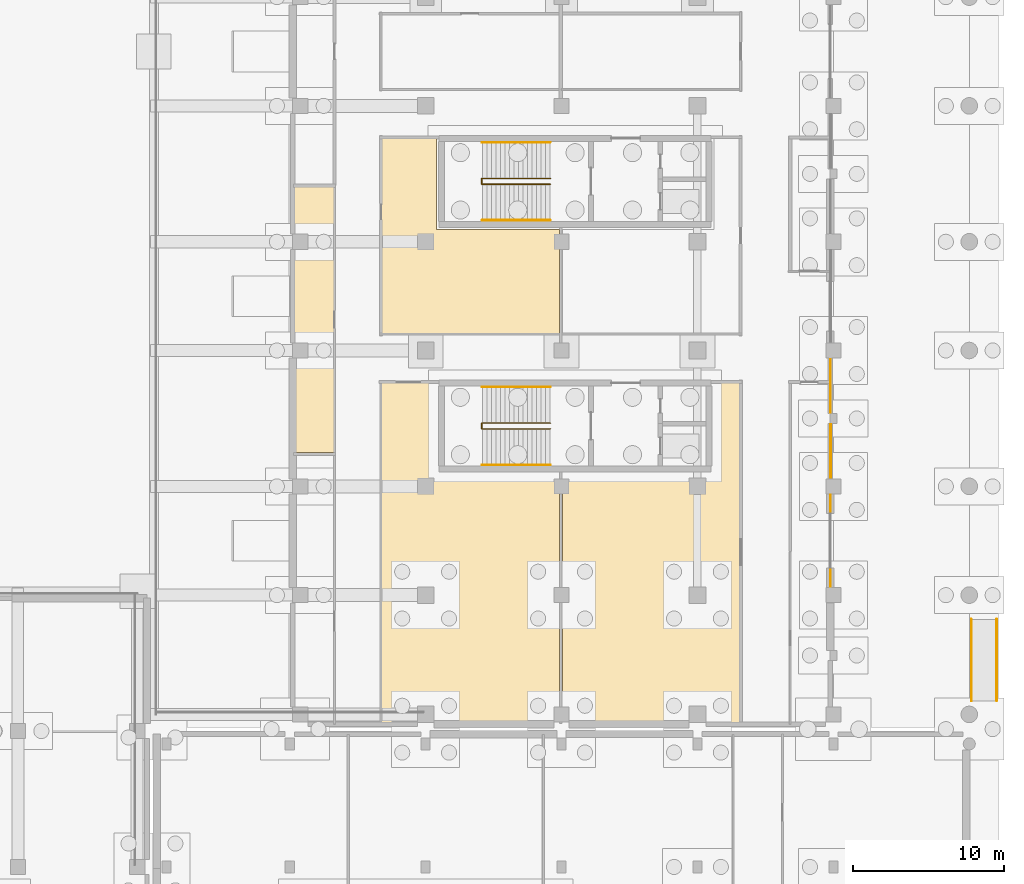
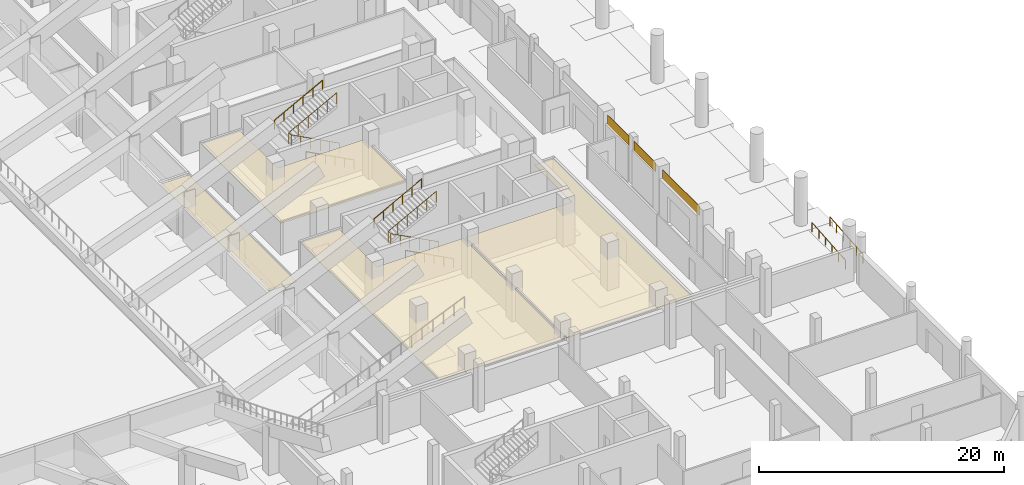
# One storey, part 48 of 53: 8 railings, 7 coverings.
"""IFC4 building model written with IfcOpenShell, lengths in metres."""

from ifc_helpers import new_model, si_unit, direction, frame, origin, origin_2d, place, context, subcontext, project, spatial, polyline, rectangle, circle, outline, extrude, material, layer, layer_set, type_object, element, save


model = new_model("IFC4")

# Units and contexts
model_context = context("Model", 3, precision=1e-05, world=origin(), true_north=direction((0.0, 1.0)))
body_context = subcontext(model_context, "Body", "Model", "MODEL_VIEW")
ifc_project = project(units=[si_unit("LENGTHUNIT", "METRE"), si_unit("AREAUNIT", "SQUARE_METRE"), si_unit("VOLUMEUNIT", "CUBIC_METRE"), si_unit("PLANEANGLEUNIT", "RADIAN"), si_unit("MASSUNIT", "GRAM", prefix="KILO"), si_unit("THERMODYNAMICTEMPERATUREUNIT", "KELVIN"), si_unit("POWERUNIT", "WATT")], contexts=[model_context])

# Site, building, storey
site_placement = place(None, origin())
site = spatial("IfcSite", under=ifc_project, at=site_placement, CompositionType="ELEMENT")
building_placement = place(site_placement, origin())
building = spatial("IfcBuilding", under=site, at=building_placement, Name="Sindhuravela Promenade Stadium", CompositionType="ELEMENT")
storey_placement = place(building_placement, origin())
storey = spatial("IfcBuildingStorey", under=building, at=storey_placement, Name="L00", CompositionType="ELEMENT", Elevation=0.0)

# Coverings
ifc_material_1 = material(Name="Acoustic mineral-fibre ceiling tile", Category="gypsum")
ifc_layer_1 = layer(ifc_material_1, 0.044921875)
ifc_layer_set_1 = layer_set([ifc_layer_1], Name="Acoustic mineral-fibre ceiling tile")
covering_type_1 = type_object("IfcCoveringType", Name="CV-CEIL-2", PredefinedType="CEILING", material=ifc_layer_set_1)
covering_1_placement = place(storey_placement, frame((0.0, 0.0, 3.050048828125)))
element("IfcCovering", 1, at=covering_1_placement, inside=storey, type_object=covering_type_1, Name="Acoustic ceiling Park Promenade Cafe", PredefinedType="CEILING", context=body_context, shape_type="SweptSolid", body=[
    extrude(outline(polyline([(177.02001953125, 59.110107421875), (177.02001953125, 59.112060546875), (177.0205078125, 59.114013671875), (177.02099609375, 59.11572265625), (177.021484375, 59.11767578125), (177.0224609375, 59.119384765625), (177.0234375, 59.12109375), (177.0244140625, 59.122802734375), (177.02587890625, 59.1240234375), (177.02734375, 59.12548828125), (177.02880859375, 59.126708984375), (177.030517578125, 59.127685546875), (177.0322265625, 59.12841796875), (177.0341796875, 59.129150390625), (177.0361328125, 59.129638671875), (177.0380859375, 59.1298828125), (177.0400390625, 59.1298828125), (180.699951171875, 59.1298828125), (180.701904296875, 59.1298828125), (180.703857421875, 59.129638671875), (180.705810546875, 59.129150390625), (180.707763671875, 59.12841796875), (180.70947265625, 59.127685546875), (180.711181640625, 59.126708984375), (180.712646484375, 59.12548828125), (180.714111328125, 59.1240234375), (180.715576171875, 59.122802734375), (180.716552734375, 59.12109375), (180.717529296875, 59.119384765625), (180.718505859375, 59.11767578125), (180.718994140625, 59.11572265625), (180.719482421875, 59.114013671875), (180.719970703125, 59.112060546875), (180.719970703125, 59.110107421875), (180.719970703125, 53.02001953125), (188.830078125, 53.02001953125), (188.83203125, 53.02001953125), (188.833984375, 53.01953125), (188.835693359375, 53.01904296875), (188.837646484375, 53.0185546875), (188.83935546875, 53.017578125), (188.841064453125, 53.0166015625), (188.8427734375, 53.015380859375), (188.843994140625, 53.01416015625), (188.845458984375, 53.0126953125), (188.8466796875, 53.010986328125), (188.84765625, 53.009521484375), (188.848388671875, 53.0078125), (188.84912109375, 53.005859375), (188.849609375, 53.00390625), (188.849853515625, 53.001953125), (188.85009765625, 53.0), (188.85009765625, 36.570068359375), (188.849853515625, 36.568115234375), (188.849609375, 36.566162109375), (188.84912109375, 36.564208984375), (188.848388671875, 36.562255859375), (188.84765625, 36.560546875), (188.8466796875, 36.558837890625), (188.845458984375, 36.557373046875), (188.843994140625, 36.555908203125), (188.8427734375, 36.554443359375), (188.841064453125, 36.553466796875), (188.83935546875, 36.552490234375), (188.837646484375, 36.551513671875), (188.835693359375, 36.55078125), (188.833984375, 36.55029296875), (188.83203125, 36.550048828125), (188.830078125, 36.550048828125), (177.0400390625, 36.550048828125), (177.0380859375, 36.550048828125), (177.0361328125, 36.55029296875), (177.0341796875, 36.55078125), (177.0322265625, 36.551513671875), (177.030517578125, 36.552490234375), (177.02880859375, 36.553466796875), (177.02734375, 36.554443359375), (177.02587890625, 36.555908203125), (177.0244140625, 36.557373046875), (177.0234375, 36.558837890625), (177.0224609375, 36.560546875), (177.021484375, 36.562255859375), (177.02099609375, 36.564208984375), (177.0205078125, 36.566162109375), (177.02001953125, 36.568115234375), (177.02001953125, 36.570068359375), (177.02001953125, 59.110107421875)])), origin(), (0.0, 0.0, 1.0), 0.044921875),
])
covering_2_placement = place(storey_placement, frame((0.0, 0.0, 3.050048828125)))
element("IfcCovering", 2, at=covering_2_placement, inside=storey, type_object=covering_type_1, Name="Acoustic ceiling Sports Museum Foyer", PredefinedType="CEILING", context=body_context, shape_type="SweptSolid", body=[
    extrude(outline(polyline([(199.080078125, 53.02001953125), (199.080078125, 59.110107421875), (199.080078125, 59.112060546875), (199.080322265625, 59.114013671875), (199.080810546875, 59.11572265625), (199.08154296875, 59.11767578125), (199.08251953125, 59.119384765625), (199.08349609375, 59.12109375), (199.08447265625, 59.122802734375), (199.0859375, 59.1240234375), (199.08740234375, 59.12548828125), (199.0888671875, 59.126708984375), (199.090576171875, 59.127685546875), (199.09228515625, 59.12841796875), (199.09423828125, 59.129150390625), (199.09619140625, 59.129638671875), (199.097900390625, 59.1298828125), (199.10009765625, 59.1298828125), (200.860107421875, 59.1298828125), (200.862060546875, 59.1298828125), (200.864013671875, 59.129638671875), (200.86572265625, 59.129150390625), (200.86767578125, 59.12841796875), (200.869384765625, 59.127685546875), (200.87109375, 59.126708984375), (200.872802734375, 59.12548828125), (200.8740234375, 59.1240234375), (200.87548828125, 59.122802734375), (200.876708984375, 59.12109375), (200.877685546875, 59.119384765625), (200.87841796875, 59.11767578125), (200.879150390625, 59.11572265625), (200.879638671875, 59.114013671875), (200.8798828125, 59.112060546875), (200.8798828125, 59.110107421875), (200.8798828125, 36.570068359375), (200.8798828125, 36.568115234375), (200.879638671875, 36.566162109375), (200.879150390625, 36.564208984375), (200.87841796875, 36.562255859375), (200.877685546875, 36.560546875), (200.876708984375, 36.558837890625), (200.87548828125, 36.557373046875), (200.8740234375, 36.555908203125), (200.872802734375, 36.554443359375), (200.87109375, 36.553466796875), (200.869384765625, 36.552490234375), (200.86767578125, 36.551513671875), (200.86572265625, 36.55078125), (200.864013671875, 36.55029296875), (200.862060546875, 36.550048828125), (200.860107421875, 36.550048828125), (189.070068359375, 36.550048828125), (189.068115234375, 36.550048828125), (189.066162109375, 36.55029296875), (189.064208984375, 36.55078125), (189.062255859375, 36.551513671875), (189.060546875, 36.552490234375), (189.058837890625, 36.553466796875), (189.057373046875, 36.554443359375), (189.055908203125, 36.555908203125), (189.054443359375, 36.557373046875), (189.053466796875, 36.558837890625), (189.052490234375, 36.560546875), (189.051513671875, 36.562255859375), (189.05078125, 36.564208984375), (189.05029296875, 36.566162109375), (189.050048828125, 36.568115234375), (189.050048828125, 36.570068359375), (189.050048828125, 53.0), (189.050048828125, 53.001953125), (189.05029296875, 53.00390625), (189.05078125, 53.005859375), (189.051513671875, 53.0078125), (189.052490234375, 53.009521484375), (189.053466796875, 53.010986328125), (189.054443359375, 53.0126953125), (189.055908203125, 53.01416015625), (189.057373046875, 53.015380859375), (189.058837890625, 53.0166015625), (189.060546875, 53.017578125), (189.062255859375, 53.0185546875), (189.064208984375, 53.01904296875), (189.066162109375, 53.01953125), (189.068115234375, 53.02001953125), (189.070068359375, 53.02001953125), (199.080078125, 53.02001953125)])), origin(), (0.0, 0.0, 1.0), 0.044921875),
])
covering_3_placement = place(storey_placement, frame((0.0, 0.0, 3.050048828125)))
element("IfcCovering", 3, at=covering_3_placement, inside=storey, type_object=covering_type_1, Name="Acoustic ceiling Chiller Plant Hall", PredefinedType="CEILING", context=body_context, shape_type="SweptSolid", body=[
    extrude(outline(polyline([(177.0400390625, 62.27001953125), (177.0380859375, 62.27001953125), (177.0361328125, 62.2705078125), (177.0341796875, 62.27099609375), (177.0322265625, 62.271484375), (177.030517578125, 62.2724609375), (177.02880859375, 62.2734375), (177.02734375, 62.2744140625), (177.02587890625, 62.27587890625), (177.0244140625, 62.27734375), (177.0234375, 62.27880859375), (177.0224609375, 62.280517578125), (177.021484375, 62.2822265625), (177.02099609375, 62.2841796875), (177.0205078125, 62.2861328125), (177.02001953125, 62.2880859375), (177.02001953125, 62.2900390625), (177.02001953125, 75.31005859375), (177.02001953125, 75.31201171875), (177.0205078125, 75.31396484375), (177.02099609375, 75.31591796875), (177.021484375, 75.317626953125), (177.0224609375, 75.3193359375), (177.0234375, 75.321044921875), (177.0244140625, 75.32275390625), (177.02587890625, 75.32421875), (177.02734375, 75.325439453125), (177.02880859375, 75.32666015625), (177.030517578125, 75.32763671875), (177.0322265625, 75.32861328125), (177.0341796875, 75.3291015625), (177.0361328125, 75.32958984375), (177.0380859375, 75.329833984375), (177.0400390625, 75.330078125), (180.699951171875, 75.330078125), (180.701904296875, 75.329833984375), (180.703857421875, 75.32958984375), (180.705810546875, 75.3291015625), (180.707763671875, 75.32861328125), (180.70947265625, 75.32763671875), (180.711181640625, 75.32666015625), (180.712646484375, 75.325439453125), (180.714111328125, 75.32421875), (180.715576171875, 75.32275390625), (180.716552734375, 75.321044921875), (180.717529296875, 75.3193359375), (180.718505859375, 75.317626953125), (180.718994140625, 75.31591796875), (180.719482421875, 75.31396484375), (180.719970703125, 75.31201171875), (180.719970703125, 75.31005859375), (180.719970703125, 69.219970703125), (188.830078125, 69.219970703125), (188.83203125, 69.219970703125), (188.833984375, 69.219482421875), (188.835693359375, 69.218994140625), (188.837646484375, 69.218505859375), (188.83935546875, 69.217529296875), (188.841064453125, 69.216552734375), (188.8427734375, 69.215576171875), (188.843994140625, 69.214111328125), (188.845458984375, 69.212646484375), (188.8466796875, 69.211181640625), (188.84765625, 69.20947265625), (188.848388671875, 69.207763671875), (188.84912109375, 69.205810546875), (188.849609375, 69.203857421875), (188.849853515625, 69.201904296875), (188.85009765625, 69.199951171875), (188.85009765625, 62.2900390625), (188.849853515625, 62.2880859375), (188.849609375, 62.2861328125), (188.84912109375, 62.2841796875), (188.848388671875, 62.2822265625), (188.84765625, 62.280517578125), (188.8466796875, 62.27880859375), (188.845458984375, 62.27734375), (188.843994140625, 62.27587890625), (188.8427734375, 62.2744140625), (188.841064453125, 62.2734375), (188.83935546875, 62.2724609375), (188.837646484375, 62.271484375), (188.835693359375, 62.27099609375), (188.833984375, 62.2705078125), (188.83203125, 62.27001953125), (188.830078125, 62.27001953125), (177.0400390625, 62.27001953125)])), origin(), (0.0, 0.0, 1.0), 0.044921875),
])
covering_4_placement = place(storey_placement, frame((0.0, 0.0, 3.050048828125)))
element("IfcCovering", 4, at=covering_4_placement, inside=storey, type_object=covering_type_1, Name="Acoustic ceiling Chiller Plant Hall 7", PredefinedType="CEILING", context=body_context, shape_type="SweptSolid", body=[
    extrude(outline(polyline([(173.97998046875, 54.4619140625), (173.97998046875, 54.4599609375), (173.9794921875, 54.4580078125), (173.97900390625, 54.456298828125), (173.978515625, 54.454345703125), (173.9775390625, 54.45263671875), (173.9765625, 54.450927734375), (173.9755859375, 54.44921875), (173.97412109375, 54.447998046875), (173.97265625, 54.446533203125), (173.97119140625, 54.4453125), (173.969482421875, 54.4443359375), (173.9677734375, 54.443603515625), (173.9658203125, 54.44287109375), (173.9638671875, 54.4423828125), (173.9619140625, 54.442138671875), (173.9599609375, 54.44189453125), (171.320068359375, 54.44189453125), (171.318115234375, 54.442138671875), (171.316162109375, 54.4423828125), (171.314208984375, 54.44287109375), (171.312255859375, 54.443603515625), (171.310546875, 54.4443359375), (171.308837890625, 54.4453125), (171.307373046875, 54.446533203125), (171.305908203125, 54.447998046875), (171.304443359375, 54.44921875), (171.303466796875, 54.450927734375), (171.302490234375, 54.45263671875), (171.301513671875, 54.454345703125), (171.30078125, 54.456298828125), (171.30029296875, 54.4580078125), (171.300048828125, 54.4599609375), (171.300048828125, 54.4619140625), (171.300048828125, 71.993896484375), (171.300048828125, 71.99609375), (171.30029296875, 71.997802734375), (171.30078125, 71.999755859375), (171.301513671875, 72.001708984375), (171.302490234375, 72.00341796875), (171.303466796875, 72.005126953125), (171.304443359375, 72.006591796875), (171.305908203125, 72.008056640625), (171.307373046875, 72.009521484375), (171.308837890625, 72.010498046875), (171.310546875, 72.01171875), (171.312255859375, 72.012451171875), (171.314208984375, 72.01318359375), (171.316162109375, 72.013671875), (171.318115234375, 72.013916015625), (171.320068359375, 72.013916015625), (173.9599609375, 72.013916015625), (173.9619140625, 72.013916015625), (173.9638671875, 72.013671875), (173.9658203125, 72.01318359375), (173.9677734375, 72.012451171875), (173.969482421875, 72.01171875), (173.97119140625, 72.010498046875), (173.97265625, 72.009521484375), (173.97412109375, 72.008056640625), (173.9755859375, 72.006591796875), (173.9765625, 72.005126953125), (173.9775390625, 72.00341796875), (173.978515625, 72.001708984375), (173.97900390625, 71.999755859375), (173.9794921875, 71.997802734375), (173.97998046875, 71.99609375), (173.97998046875, 71.993896484375), (173.97998046875, 54.4619140625)])), origin(), (0.0, 0.0, 1.0), 0.044921875),
])
ifc_material_2 = material(Name="Polychrome trencadis ceramic mosaic", Category="masonry")
ifc_layer_2 = layer(ifc_material_2, 0.034912109375)
ifc_layer_set_2 = layer_set([ifc_layer_2], Name="Polychrome trencadis ceramic mosaic")
covering_type_2 = type_object("IfcCoveringType", Name="CV-TRENC-1", PredefinedType="CLADDING", material=ifc_layer_set_2)
covering_5_placement = place(storey_placement, frame((206.820068359375, 58.862548828125, 3.55517578125), z_axis=(0.0, 0.0, 1.0), x_axis=(0.0, -1.0, 0.0)))
element("IfcCovering", 5, at=covering_5_placement, inside=storey, type_object=covering_type_2, Name="Trencadis ceramic mosaic spandrel frieze EAST L00-154", PredefinedType="CLADDING", context=body_context, shape_type="SweptSolid", body=[
    extrude(rectangle(XDim=3.544921875, YDim=0.034912109375, at=origin_2d()), origin(), (0.0, 0.0, 1.0), 0.905029296875),
])
covering_6_placement = place(storey_placement, frame((206.820068359375, 48.60009765625, 3.55517578125), z_axis=(0.0, 0.0, 1.0), x_axis=(0.0, -1.0, 0.0)))
element("IfcCovering", 6, at=covering_6_placement, inside=storey, type_object=covering_type_2, Name="Trencadis ceramic mosaic spandrel frieze EAST L00-156", PredefinedType="CLADDING", context=body_context, shape_type="SweptSolid", body=[
    extrude(rectangle(XDim=6.070068359375, YDim=0.034912109375, at=origin_2d()), origin(), (0.0, 0.0, 1.0), 0.905029296875),
])
ifc_layer_3 = layer(ifc_material_2, 0.050048828125)
ifc_layer_set_3 = layer_set([ifc_layer_3], Name="Polychrome trencadis ceramic mosaic")
covering_type_3 = type_object("IfcCoveringType", Name="CV-TRENC-2", PredefinedType="CLADDING", material=ifc_layer_set_3)
covering_7_placement = place(storey_placement, frame((206.820068359375, 54.53759765625, 3.55517578125), z_axis=(0.0, 0.0, 1.0), x_axis=(0.0, -1.0, 0.0)))
element("IfcCovering", 7, at=covering_7_placement, inside=storey, type_object=covering_type_3, Name="Trencadis ceramic mosaic spandrel frieze EAST L00-155", PredefinedType="CLADDING", context=body_context, shape_type="SweptSolid", body=[
    extrude(rectangle(XDim=3.544921875, YDim=0.050048828125, at=origin_2d()), origin(), (0.0, 0.0, 1.0), 0.905029296875),
])

# Railings
ifc_material_3 = material(Name="Architectural wrought steel E350", Category="steel")
railing_type_1 = type_object("IfcRailingType", Name="RL-GRD-1150", PredefinedType="GUARDRAIL", material=ifc_material_3)
railing_1_placement = place(storey_placement, frame((188.25, 56.010009765625, 0.0)))
element("IfcRailing", 8, at=railing_1_placement, inside=storey, type_object=railing_type_1, Name="Stair ST05 inner well guard (L00)", PredefinedType="GUARDRAIL", context=body_context, shape_type="SweptSolid", body=[
    extrude(circle(Radius=0.02392578125, at=origin_2d()), frame((0.0, 0.0, 1.1259765625), z_axis=(-0.8836546633431795, 0.0, 0.46813933390802775), x_axis=(0.0, -1.0, 0.0)), (0.0, 0.0, 1.0), 5.12646484375),
    extrude(circle(Radius=0.02392578125, at=origin_2d()), frame((-4.530029296875, 0.0, 3.52587890625), z_axis=(0.0, 1.0, 0.0), x_axis=(-1.0, 0.0, 0.0)), (0.0, 0.0, 1.0), 0.3798828125),
    extrude(circle(Radius=0.02392578125, at=origin_2d()), frame((-4.530029296875, 0.3798828125, 3.52587890625), z_axis=(0.8836349624059475, 0.0, 0.46817651928929505), x_axis=(0.0, 1.0, 0.0)), (0.0, 0.0, 1.0), 5.12646484375),
    extrude(circle(Radius=0.02099609375, at=origin_2d()), origin(), (0.0, 0.0, 1.0), 1.101806640625),
    extrude(circle(Radius=0.02099609375, at=origin_2d()), frame((-0.906005859375, 0.0, 0.47998046875)), (0.0, 0.0, 1.0), 1.101806640625),
    extrude(circle(Radius=0.02099609375, at=origin_2d()), frame((-1.81201171875, 0.0, 0.9599609375)), (0.0, 0.0, 1.0), 1.101806640625),
    extrude(circle(Radius=0.02099609375, at=origin_2d()), frame((-2.718017578125, 0.0, 1.43994140625)), (0.0, 0.0, 1.0), 1.101806640625),
    extrude(circle(Radius=0.02099609375, at=origin_2d()), frame((-3.6240234375, 0.0, 1.919921875)), (0.0, 0.0, 1.0), 1.101806640625),
    extrude(circle(Radius=0.02099609375, at=origin_2d()), frame((-4.530029296875, 0.0, 2.39990234375)), (0.0, 0.0, 1.0), 1.101806640625),
    extrude(circle(Radius=0.02099609375, at=origin_2d()), frame((-4.530029296875, 0.3798828125, 2.39990234375)), (0.0, 0.0, 1.0), 1.101806640625),
    extrude(circle(Radius=0.02099609375, at=origin_2d()), frame((-3.6240234375, 0.3798828125, 2.8798828125)), (0.0, 0.0, 1.0), 1.101806640625),
    extrude(circle(Radius=0.02099609375, at=origin_2d()), frame((-2.718017578125, 0.3798828125, 3.35986328125)), (0.0, 0.0, 1.0), 1.101806640625),
    extrude(circle(Radius=0.02099609375, at=origin_2d()), frame((-1.81201171875, 0.3798828125, 3.840087890625)), (0.0, 0.0, 1.0), 1.101806640625),
    extrude(circle(Radius=0.02099609375, at=origin_2d()), frame((-0.906005859375, 0.3798828125, 4.320068359375)), (0.0, 0.0, 1.0), 1.101806640625),
    extrude(circle(Radius=0.02099609375, at=origin_2d()), frame((0.0, 0.3798828125, 4.800048828125)), (0.0, 0.0, 1.0), 1.101806640625),
])
railing_2_placement = place(storey_placement, frame((188.25, 72.2099609375, 0.0)))
element("IfcRailing", 9, at=railing_2_placement, inside=storey, type_object=railing_type_1, Name="Stair ST06 inner well guard (L00)", PredefinedType="GUARDRAIL", context=body_context, shape_type="SweptSolid", body=[
    extrude(circle(Radius=0.02392578125, at=origin_2d()), frame((0.0, 0.0, 1.1259765625), z_axis=(-0.8836546633431795, 0.0, 0.46813933390802775), x_axis=(0.0, -1.0, 0.0)), (0.0, 0.0, 1.0), 5.12646484375),
    extrude(circle(Radius=0.02392578125, at=origin_2d()), frame((-4.530029296875, 0.0, 3.52587890625), z_axis=(0.0, 1.0, 0.0), x_axis=(-1.0, 0.0, 0.0)), (0.0, 0.0, 1.0), 0.380126953125),
    extrude(circle(Radius=0.02392578125, at=origin_2d()), frame((-4.530029296875, 0.380126953125, 3.52587890625), z_axis=(0.8836349624059475, 0.0, 0.46817651928929505), x_axis=(0.0, 1.0, 0.0)), (0.0, 0.0, 1.0), 5.12646484375),
    extrude(circle(Radius=0.02099609375, at=origin_2d()), origin(), (0.0, 0.0, 1.0), 1.101806640625),
    extrude(circle(Radius=0.02099609375, at=origin_2d()), frame((-0.906005859375, 0.0, 0.47998046875)), (0.0, 0.0, 1.0), 1.101806640625),
    extrude(circle(Radius=0.02099609375, at=origin_2d()), frame((-1.81201171875, 0.0, 0.9599609375)), (0.0, 0.0, 1.0), 1.101806640625),
    extrude(circle(Radius=0.02099609375, at=origin_2d()), frame((-2.718017578125, 0.0, 1.43994140625)), (0.0, 0.0, 1.0), 1.101806640625),
    extrude(circle(Radius=0.02099609375, at=origin_2d()), frame((-3.6240234375, 0.0, 1.919921875)), (0.0, 0.0, 1.0), 1.101806640625),
    extrude(circle(Radius=0.02099609375, at=origin_2d()), frame((-4.530029296875, 0.0, 2.39990234375)), (0.0, 0.0, 1.0), 1.101806640625),
    extrude(circle(Radius=0.02099609375, at=origin_2d()), frame((-4.530029296875, 0.380126953125, 2.39990234375)), (0.0, 0.0, 1.0), 1.101806640625),
    extrude(circle(Radius=0.02099609375, at=origin_2d()), frame((-3.6240234375, 0.380126953125, 2.8798828125)), (0.0, 0.0, 1.0), 1.101806640625),
    extrude(circle(Radius=0.02099609375, at=origin_2d()), frame((-2.718017578125, 0.380126953125, 3.35986328125)), (0.0, 0.0, 1.0), 1.101806640625),
    extrude(circle(Radius=0.02099609375, at=origin_2d()), frame((-1.81201171875, 0.380126953125, 3.840087890625)), (0.0, 0.0, 1.0), 1.101806640625),
    extrude(circle(Radius=0.02099609375, at=origin_2d()), frame((-0.906005859375, 0.380126953125, 4.320068359375)), (0.0, 0.0, 1.0), 1.101806640625),
    extrude(circle(Radius=0.02099609375, at=origin_2d()), frame((0.0, 0.380126953125, 4.800048828125)), (0.0, 0.0, 1.0), 1.101806640625),
])
railing_type_2 = type_object("IfcRailingType", Name="RL-HND-920", PredefinedType="HANDRAIL", material=ifc_material_3)
railing_3_placement = place(storey_placement, frame((188.25, 53.6201171875, 0.0)))
element("IfcRailing", 10, at=railing_3_placement, inside=storey, type_object=railing_type_2, Name="Stair ST05 lower wall handrail (L00)", PredefinedType="HANDRAIL", context=body_context, shape_type="SweptSolid", body=[
    extrude(circle(Radius=0.02392578125, at=origin_2d()), frame((0.0, 0.0, 0.89599609375), z_axis=(-0.8823608919668723, 0.0, 0.4705733272588083), x_axis=(0.0, -1.0, 0.0)), (0.0, 0.0, 1.0), 5.099853515625),
    extrude(circle(Radius=0.02099609375, at=origin_2d()), origin(), (0.0, 0.0, 1.0), 0.871826171875),
    extrude(circle(Radius=0.02099609375, at=origin_2d()), frame((-0.89990234375, 0.0, 0.47998046875)), (0.0, 0.0, 1.0), 0.871826171875),
    extrude(circle(Radius=0.02099609375, at=origin_2d()), frame((-1.800048828125, 0.0, 0.9599609375)), (0.0, 0.0, 1.0), 0.871826171875),
    extrude(circle(Radius=0.02099609375, at=origin_2d()), frame((-2.699951171875, 0.0, 1.43994140625)), (0.0, 0.0, 1.0), 0.871826171875),
    extrude(circle(Radius=0.02099609375, at=origin_2d()), frame((-3.60009765625, 0.0, 1.919921875)), (0.0, 0.0, 1.0), 0.871826171875),
    extrude(circle(Radius=0.02099609375, at=origin_2d()), frame((-4.5, 0.0, 2.39990234375)), (0.0, 0.0, 1.0), 0.871826171875),
])
railing_4_placement = place(storey_placement, frame((183.75, 58.780029296875, 2.39990234375)))
element("IfcRailing", 11, at=railing_4_placement, inside=storey, type_object=railing_type_2, Name="Stair ST05 upper wall handrail (L00)", PredefinedType="HANDRAIL", context=body_context, shape_type="SweptSolid", body=[
    extrude(circle(Radius=0.02392578125, at=origin_2d()), frame((0.0, 0.0, 0.89599609375), z_axis=(0.8823410147872734, 0.0, 0.47061059659145427), x_axis=(0.0, 1.0, 0.0)), (0.0, 0.0, 1.0), 5.10009765625),
    extrude(circle(Radius=0.02099609375, at=origin_2d()), origin(), (0.0, 0.0, 1.0), 0.871826171875),
    extrude(circle(Radius=0.02099609375, at=origin_2d()), frame((0.89990234375, 0.0, 0.47998046875)), (0.0, 0.0, 1.0), 0.871826171875),
    extrude(circle(Radius=0.02099609375, at=origin_2d()), frame((1.800048828125, 0.0, 0.9599609375)), (0.0, 0.0, 1.0), 0.871826171875),
    extrude(circle(Radius=0.02099609375, at=origin_2d()), frame((2.699951171875, 0.0, 1.440185546875)), (0.0, 0.0, 1.0), 0.871826171875),
    extrude(circle(Radius=0.02099609375, at=origin_2d()), frame((3.60009765625, 0.0, 1.920166015625)), (0.0, 0.0, 1.0), 0.871826171875),
    extrude(circle(Radius=0.02099609375, at=origin_2d()), frame((4.5, 0.0, 2.400146484375)), (0.0, 0.0, 1.0), 0.871826171875),
])
railing_5_placement = place(storey_placement, frame((188.25, 69.820068359375, 0.0)))
element("IfcRailing", 12, at=railing_5_placement, inside=storey, type_object=railing_type_2, Name="Stair ST06 lower wall handrail (L00)", PredefinedType="HANDRAIL", context=body_context, shape_type="SweptSolid", body=[
    extrude(circle(Radius=0.02392578125, at=origin_2d()), frame((0.0, 0.0, 0.89599609375), z_axis=(-0.8823608919668723, 0.0, 0.4705733272588083), x_axis=(0.0, -1.0, 0.0)), (0.0, 0.0, 1.0), 5.099853515625),
    extrude(circle(Radius=0.02099609375, at=origin_2d()), origin(), (0.0, 0.0, 1.0), 0.871826171875),
    extrude(circle(Radius=0.02099609375, at=origin_2d()), frame((-0.89990234375, 0.0, 0.47998046875)), (0.0, 0.0, 1.0), 0.871826171875),
    extrude(circle(Radius=0.02099609375, at=origin_2d()), frame((-1.800048828125, 0.0, 0.9599609375)), (0.0, 0.0, 1.0), 0.871826171875),
    extrude(circle(Radius=0.02099609375, at=origin_2d()), frame((-2.699951171875, 0.0, 1.43994140625)), (0.0, 0.0, 1.0), 0.871826171875),
    extrude(circle(Radius=0.02099609375, at=origin_2d()), frame((-3.60009765625, 0.0, 1.919921875)), (0.0, 0.0, 1.0), 0.871826171875),
    extrude(circle(Radius=0.02099609375, at=origin_2d()), frame((-4.5, 0.0, 2.39990234375)), (0.0, 0.0, 1.0), 0.871826171875),
])
railing_6_placement = place(storey_placement, frame((183.75, 74.97998046875, 2.39990234375)))
element("IfcRailing", 13, at=railing_6_placement, inside=storey, type_object=railing_type_2, Name="Stair ST06 upper wall handrail (L00)", PredefinedType="HANDRAIL", context=body_context, shape_type="SweptSolid", body=[
    extrude(circle(Radius=0.02392578125, at=origin_2d()), frame((0.0, 0.0, 0.89599609375), z_axis=(0.8823410147872734, 0.0, 0.47061059659145427), x_axis=(0.0, 1.0, 0.0)), (0.0, 0.0, 1.0), 5.10009765625),
    extrude(circle(Radius=0.02099609375, at=origin_2d()), origin(), (0.0, 0.0, 1.0), 0.871826171875),
    extrude(circle(Radius=0.02099609375, at=origin_2d()), frame((0.89990234375, 0.0, 0.47998046875)), (0.0, 0.0, 1.0), 0.871826171875),
    extrude(circle(Radius=0.02099609375, at=origin_2d()), frame((1.800048828125, 0.0, 0.9599609375)), (0.0, 0.0, 1.0), 0.871826171875),
    extrude(circle(Radius=0.02099609375, at=origin_2d()), frame((2.699951171875, 0.0, 1.440185546875)), (0.0, 0.0, 1.0), 0.871826171875),
    extrude(circle(Radius=0.02099609375, at=origin_2d()), frame((3.60009765625, 0.0, 1.920166015625)), (0.0, 0.0, 1.0), 0.871826171875),
    extrude(circle(Radius=0.02099609375, at=origin_2d()), frame((4.5, 0.0, 2.400146484375)), (0.0, 0.0, 1.0), 0.871826171875),
])
for number, where, name in (
    (14, (217.820068359375, 38.0, -0.449951171875), "East promenade south step-free ramp handrail 1"),
    (15, (216.139892578125, 38.0, -0.449951171875), "East promenade south step-free ramp handrail 2"),
):
    element("IfcRailing", number, at=place(storey_placement, frame(where)), inside=storey, type_object=railing_type_2, Name=name, PredefinedType="HANDRAIL", context=body_context, shape_type="SweptSolid", body=[
        extrude(circle(Radius=0.02392578125, at=origin_2d()), frame((0.0, 0.0, 0.89599609375), z_axis=(0.0, 0.9965463796776552, 0.08303802232326245), x_axis=(-1.0, 0.0, 0.0)), (0.0, 0.0, 1.0), 5.418701171875),
        extrude(circle(Radius=0.02099609375, at=origin_2d()), origin(), (0.0, 0.0, 1.0), 0.871826171875),
        extrude(circle(Radius=0.02099609375, at=origin_2d()), frame((0.0, 1.080078125, 0.090087890625)), (0.0, 0.0, 1.0), 0.871826171875),
        extrude(circle(Radius=0.02099609375, at=origin_2d()), frame((0.0, 2.159912109375, 0.179931640625)), (0.0, 0.0, 1.0), 0.871826171875),
        extrude(circle(Radius=0.02099609375, at=origin_2d()), frame((0.0, 3.239990234375, 0.27001953125)), (0.0, 0.0, 1.0), 0.871826171875),
        extrude(circle(Radius=0.02099609375, at=origin_2d()), frame((0.0, 4.31982421875, 0.35986328125)), (0.0, 0.0, 1.0), 0.871826171875),
        extrude(circle(Radius=0.02099609375, at=origin_2d()), frame((0.0, 5.39990234375, 0.449951171875)), (0.0, 0.0, 1.0), 0.871826171875),
    ])

save(model, "model.ifc")
